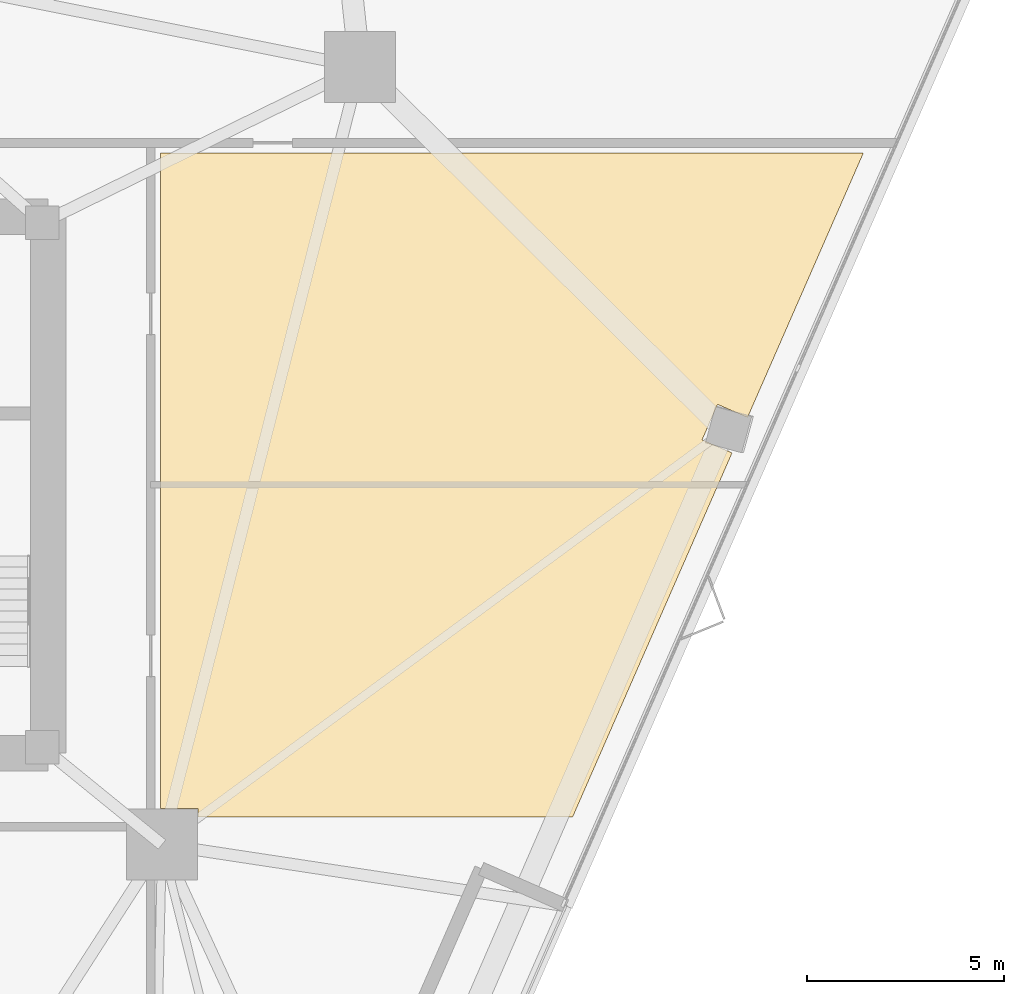
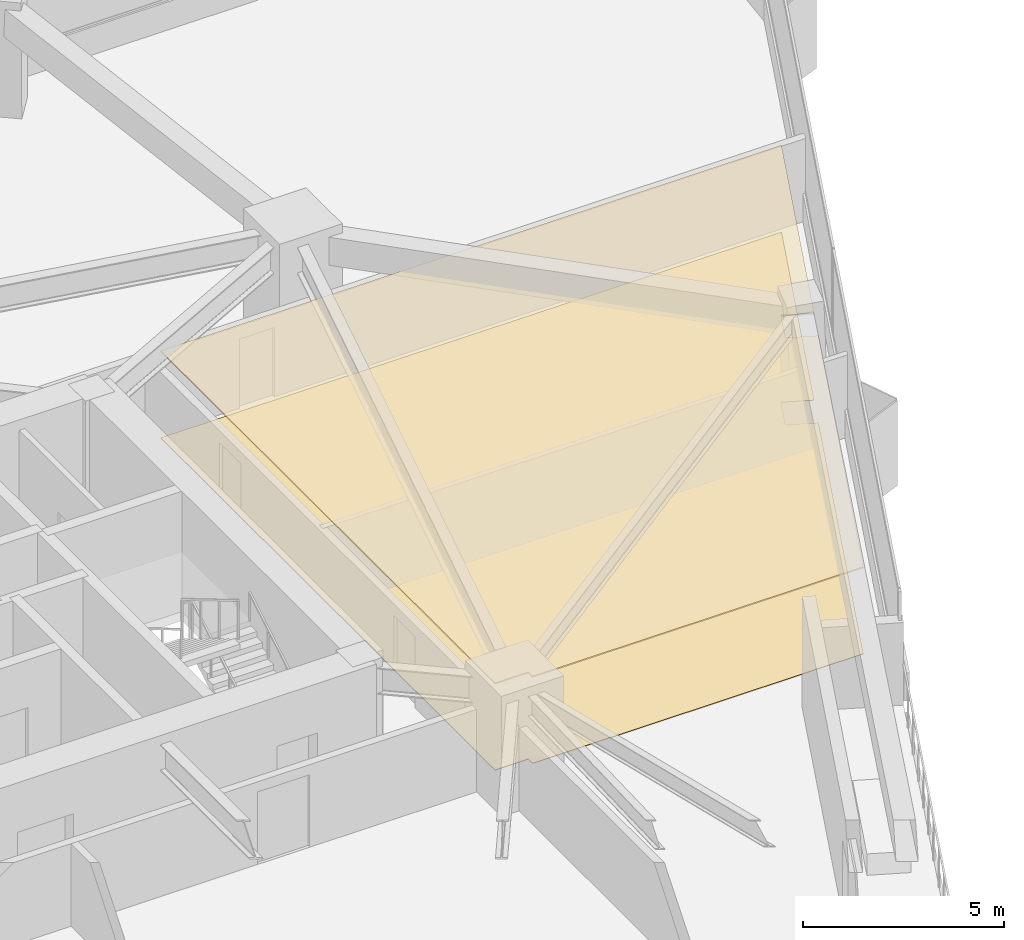
# One storey, part 16 of 16: 2 coverings.
"""IFC4 building model written with IfcOpenShell, lengths in metres."""

from ifc_helpers import new_model, si_unit, direction, frame, origin, place, context, subcontext, project, spatial, polyline, outline, extrude, material, layer, layer_set, type_object, element, save


model = new_model("IFC4")

# Units and contexts
model_context = context("Model", 3, precision=1e-05, world=origin(), true_north=direction((0.0, 1.0)))
body_context = subcontext(model_context, "Body", "Model", "MODEL_VIEW")
ifc_project = project(units=[si_unit("LENGTHUNIT", "METRE"), si_unit("AREAUNIT", "SQUARE_METRE"), si_unit("VOLUMEUNIT", "CUBIC_METRE"), si_unit("PLANEANGLEUNIT", "RADIAN"), si_unit("MASSUNIT", "GRAM", prefix="KILO")], contexts=[model_context])

# Site, building, storey
site_placement = place(None, origin())
site = spatial("IfcSite", under=ifc_project, at=site_placement, CompositionType="ELEMENT")
building_placement = place(site_placement, origin())
building = spatial("IfcBuilding", under=site, at=building_placement, Name="Talyreon Biosciences Tower", CompositionType="ELEMENT")
storey_placement = place(building_placement, frame((0.0, 0.0, 44.699951171875)))
storey = spatial("IfcBuildingStorey", under=building, at=storey_placement, Name="L11", CompositionType="ELEMENT", Elevation=44.699951171875)

# Coverings
ifc_material_1 = material(Name="Cleanable acoustic mineral-fibre ceiling tile", Category="gypsum")
ifc_layer_1 = layer(ifc_material_1, 0.0400390625)
ifc_layer_set_1 = layer_set([ifc_layer_1], Name="Cleanable acoustic mineral-fibre ceiling tile")
covering_type_1 = type_object("IfcCoveringType", Name="AcousticCleanroomCeiling_40", PredefinedType="CEILING", material=ifc_layer_set_1)
covering_1_placement = place(storey_placement, frame((0.0, 0.0, 2.614990234375)))
element("IfcCovering", 1, at=covering_1_placement, inside=storey, type_object=covering_type_1, Name="L11 Acoustic Laboratory Ceiling", PredefinedType="CEILING", context=body_context, shape_type="SweptSolid", body=[
    extrude(outline(polyline([(78.001220703125, 59.580078125), (78.001220703125, 59.79541015625), (77.050048828125, 59.79541015625), (77.050048828125, 76.419921875), (94.8720703125, 76.419921875), (91.93359375, 69.708984375), (91.1748046875, 70.041259765625), (90.781494140625, 69.1435546875), (91.54052734375, 68.811279296875), (87.49853515625, 59.580078125), (78.001220703125, 59.580078125)])), origin(), (0.0, 0.0, 1.0), 0.0400390625),
])
ifc_material_2 = material(Name="Chemical-resistant seamless epoxy resin flooring", Category="plastic")
ifc_layer_2 = layer(ifc_material_2, 0.014892578125)
ifc_layer_set_2 = layer_set([ifc_layer_2], Name="Chemical-resistant seamless epoxy resin flooring")
covering_type_2 = type_object("IfcCoveringType", Name="SeamlessEpoxyLabFlooring_15", PredefinedType="FLOORING", material=ifc_layer_set_2)
covering_2_placement = place(storey_placement, origin())
element("IfcCovering", 2, at=covering_2_placement, inside=storey, type_object=covering_type_2, Name="L11 Laboratory Floor Finish", PredefinedType="FLOORING", context=body_context, shape_type="SweptSolid", body=[
    extrude(outline(polyline([(78.001220703125, 59.580078125), (78.001220703125, 59.79541015625), (77.050048828125, 59.79541015625), (77.050048828125, 76.419921875), (94.8720703125, 76.419921875), (91.93359375, 69.708984375), (91.1748046875, 70.041259765625), (90.781494140625, 69.1435546875), (91.54052734375, 68.811279296875), (87.49853515625, 59.580078125), (78.001220703125, 59.580078125)])), origin(), (0.0, 0.0, 1.0), 0.01513671875),
])

save(model, "model.ifc")
